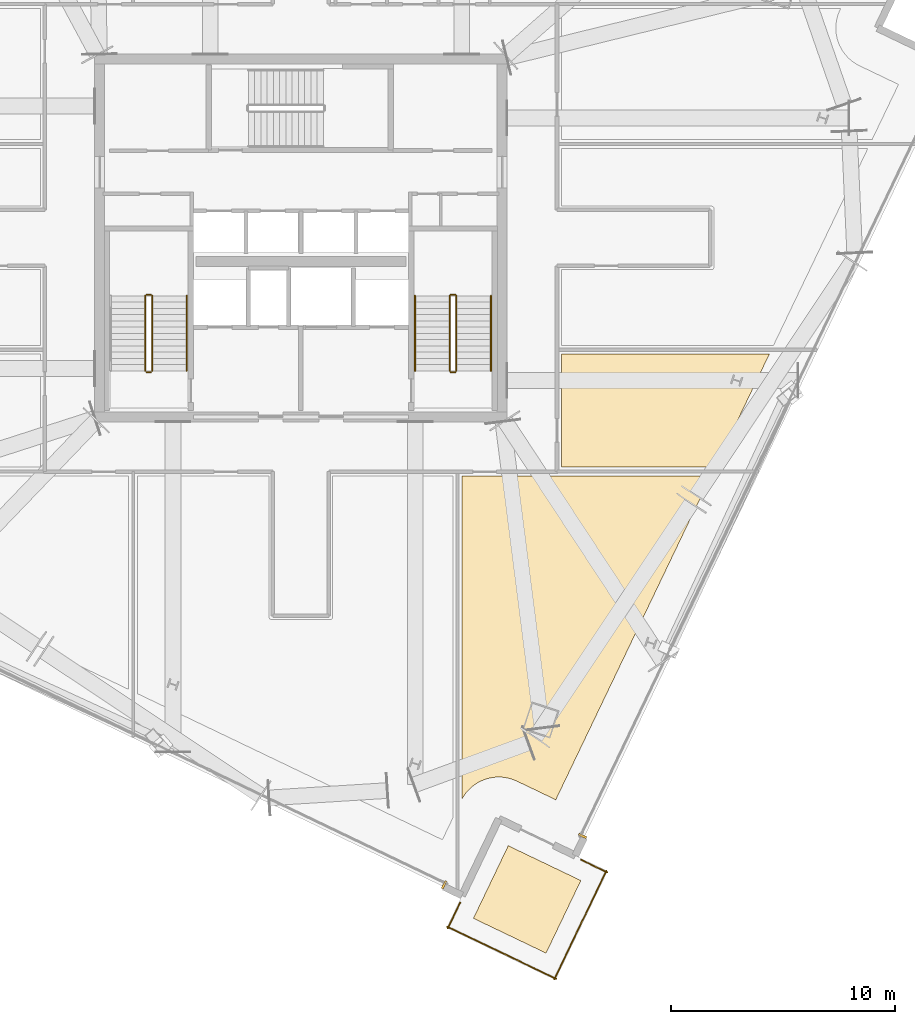
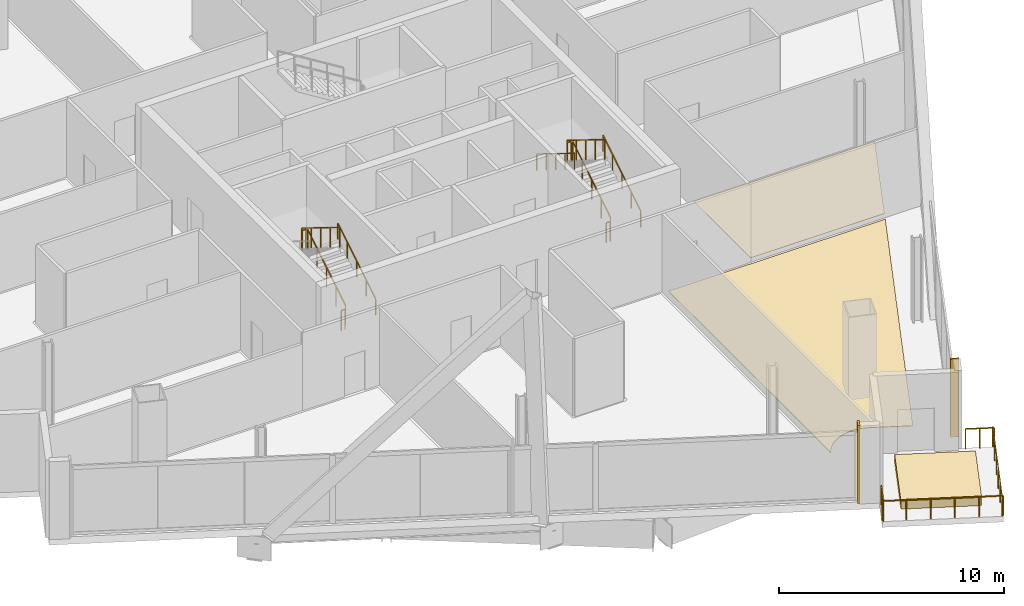
# One storey, part 21 of 24: 15 railings, 5 coverings.
"""IFC4 building model written with IfcOpenShell, lengths in metres."""

from ifc_helpers import new_model, si_unit, direction, frame, origin, origin_2d, place, context, subcontext, project, spatial, polyline, rectangle, outline, extrude, source, transform, mapped, material, layer, layer_set, type_object, element, save


model = new_model("IFC4")

# Units and contexts
model_context = context("Model", 3, precision=1e-05, world=origin(), true_north=direction((0.0, 1.0)))
body_context = subcontext(model_context, "Body", "Model", "MODEL_VIEW")
ifc_project = project(units=[si_unit("LENGTHUNIT", "METRE"), si_unit("AREAUNIT", "SQUARE_METRE"), si_unit("VOLUMEUNIT", "CUBIC_METRE"), si_unit("PLANEANGLEUNIT", "RADIAN"), si_unit("MASSUNIT", "GRAM", prefix="KILO")], contexts=[model_context])

# Site, building, storey
site_placement = place(None, origin())
site = spatial("IfcSite", under=ifc_project, at=site_placement, CompositionType="ELEMENT")
building_placement = place(site_placement, origin())
building = spatial("IfcBuilding", under=site, at=building_placement, Name="Haldenkirk Collegiate Tower", CompositionType="ELEMENT")
storey_placement = place(building_placement, frame((0.0, 0.0, 244.199951171875)))
storey = spatial("IfcBuildingStorey", under=building, at=storey_placement, Name="L61", CompositionType="ELEMENT", Elevation=244.199951171875)

# Coverings
ifc_material_1 = material(Name="Engineered collegiate oak acoustic flooring", Category="wood")
ifc_layer_1 = layer(ifc_material_1, 0.02197265625)
ifc_layer_set_1 = layer_set([ifc_layer_1], Name="Engineered collegiate oak acoustic flooring")
covering_type_1 = type_object("IfcCoveringType", Name="COV-FLOOR-TIMBER", PredefinedType="FLOORING", material=ifc_layer_set_1)
covering_1_placement = place(storey_placement, origin())
element("IfcCovering", 1, at=covering_1_placement, inside=storey, type_object=covering_type_1, Name="L61 academic room finish 03", PredefinedType="FLOORING", context=body_context, shape_type="SweptSolid", body=[
    extrude(outline(polyline([(43.199951171875, 0.910400390625), (43.199951171875, 15.35009765625), (54.327392578125, 15.35009765625), (47.394775390625, 0.880615234375), (45.654296875, 1.71435546875), (45.64892578125, 1.716796875), (45.490478515625, 1.783203125), (45.4794921875, 1.787353515625), (45.3154296875, 1.838134765625), (45.303955078125, 1.841064453125), (45.1357421875, 1.87548828125), (45.1240234375, 1.877197265625), (44.953125, 1.894775390625), (44.94140625, 1.8955078125), (44.769775390625, 1.896240234375), (44.758056640625, 1.895751953125), (44.5869140625, 1.8798828125), (44.575439453125, 1.878173828125), (44.40673828125, 1.845458984375), (44.395263671875, 1.8427734375), (44.230712890625, 1.793701171875), (44.2197265625, 1.789794921875), (44.060791015625, 1.724853515625), (44.0498046875, 1.7197265625), (43.898193359375, 1.6396484375), (43.887939453125, 1.633544921875), (43.74462890625, 1.538818359375), (43.735107421875, 1.531982421875), (43.601806640625, 1.423583984375), (43.59326171875, 1.415771484375), (43.47119140625, 1.294921875), (43.463134765625, 1.286376953125), (43.353515625, 1.154052734375), (43.346435546875, 1.144775390625), (43.25048828125, 1.00244140625), (43.244384765625, 0.9921875), (43.199951171875, 0.910400390625)])), origin(), (0.0, 0.0, 1.0), 0.02197265625),
])
covering_2_placement = place(storey_placement, origin())
element("IfcCovering", 2, at=covering_2_placement, inside=storey, type_object=covering_type_1, Name="L61 academic room finish 09", PredefinedType="FLOORING", context=body_context, shape_type="SweptSolid", body=[
    extrude(outline(polyline([(54.51904296875, 15.75), (47.64990234375, 15.75), (47.64990234375, 20.800048828125), (56.938720703125, 20.800048828125), (54.51904296875, 15.75)])), origin(), (0.0, 0.0, 1.0), 0.02197265625),
])
ifc_material_2 = material(Name="Precast concrete f'c 40 MPa", Category="concrete")
ifc_layer_2 = layer(ifc_material_2, 0.449951171875)
ifc_layer_set_2 = layer_set([ifc_layer_2], Name="Precast concrete f'c 40 MPa")
covering_type_2 = type_object("IfcCoveringType", Name="COV-PLANTER-450", PredefinedType="USERDEFINED", material=ifc_layer_set_2)
covering_3_placement = place(storey_placement, origin())
element("IfcCovering", 3, at=covering_3_placement, inside=storey, type_object=covering_type_2, Name="L61 planted garden planter bed", ObjectType="PLANTER", PredefinedType="USERDEFINED", context=body_context, shape_type="SweptSolid", body=[
    extrude(outline(polyline([(46.960205078125, -5.974609375), (43.71337890625, -4.419189453125), (45.26904296875, -1.172607421875), (48.515625, -2.72802734375), (46.960205078125, -5.974609375)])), origin(), (0.0, 0.0, 1.0), 0.449951171875),
])

# Railings
ifc_material_3 = material(Name="Painted architectural tubular steel", Category="steel")
railing_type_1 = type_object("IfcRailingType", Name="RLG-STAIR-GUARD-1100", PredefinedType="BALUSTRADE", material=ifc_material_3)
railing_1_placement = place(storey_placement, frame((29.35009765625, 20.050048828125, 0.173095703125)))
element("IfcRailing", 4, at=railing_1_placement, inside=storey, type_object=railing_type_1, Name="L61 ST-1 stair guard 1", PredefinedType="BALUSTRADE", context=body_context, shape_type="SweptSolid", body=[
    extrude(rectangle(XDim=0.048095703125, YDim=0.048095703125, at=origin_2d()), frame((0.0, 0.0, 1.076171875), z_axis=(0.0, 0.850606129759, 0.525803396734), x_axis=(-1.0, 0.0, 0.0)), (0.0, 0.0, 1.0), 3.949951171875),
    extrude(rectangle(XDim=0.0419921875, YDim=0.0419921875, at=origin_2d()), origin(), (0.0, 0.0, 1.0), 1.052001953125),
    extrude(rectangle(XDim=0.0419921875, YDim=0.0419921875, at=origin_2d()), frame((0.0, 0.83984375, 0.519287109375)), (0.0, 0.0, 1.0), 1.052001953125),
    extrude(rectangle(XDim=0.0419921875, YDim=0.0419921875, at=origin_2d()), frame((0.0, 1.679931640625, 1.03857421875)), (0.0, 0.0, 1.0), 1.052001953125),
    extrude(rectangle(XDim=0.0419921875, YDim=0.0419921875, at=origin_2d()), frame((0.0, 2.52001953125, 1.5576171875)), (0.0, 0.0, 1.0), 1.052001953125),
    extrude(rectangle(XDim=0.0419921875, YDim=0.0419921875, at=origin_2d()), frame((0.0, 3.35986328125, 2.076904296875)), (0.0, 0.0, 1.0), 1.052001953125),
])
railing_2_placement = place(storey_placement, frame((29.300048828125, 23.4599609375, 2.25)))
element("IfcRailing", 5, at=railing_2_placement, inside=storey, type_object=railing_type_1, Name="L61 ST-1 stair guard 2", PredefinedType="BALUSTRADE", context=body_context, shape_type="SweptSolid", body=[
    extrude(rectangle(XDim=0.048095703125, YDim=0.048095703125, at=origin_2d()), frame((0.0, 0.0, 1.076171875), z_axis=(-1.0, 0.0, 0.0), x_axis=(0.0, -1.0, 0.0)), (0.0, 0.0, 1.0), 0.199951171875),
    extrude(rectangle(XDim=0.0419921875, YDim=0.0419921875, at=origin_2d()), origin(), (0.0, 0.0, 1.0), 1.052001953125),
    extrude(rectangle(XDim=0.0419921875, YDim=0.0419921875, at=origin_2d()), frame((-0.199951171875, 0.0, 0.0)), (0.0, 0.0, 1.0), 1.052001953125),
])
railing_3_placement = place(storey_placement, frame((29.050048828125, 23.409912109375, 2.423095703125)))
element("IfcRailing", 6, at=railing_3_placement, inside=storey, type_object=railing_type_1, Name="L61 ST-1 stair guard 3", PredefinedType="BALUSTRADE", context=body_context, shape_type="SweptSolid", body=[
    extrude(rectangle(XDim=0.048095703125, YDim=0.048095703125, at=origin_2d()), frame((0.0, 0.0, 1.076171875), z_axis=(0.0, -0.850606129759, 0.525803396734), x_axis=(1.0, 0.0, 0.0)), (0.0, 0.0, 1.0), 3.949951171875),
    extrude(rectangle(XDim=0.0419921875, YDim=0.0419921875, at=origin_2d()), origin(), (0.0, 0.0, 1.0), 1.052001953125),
    extrude(rectangle(XDim=0.0419921875, YDim=0.0419921875, at=origin_2d()), frame((0.0, -0.83984375, 0.519287109375)), (0.0, 0.0, 1.0), 1.052001953125),
    extrude(rectangle(XDim=0.0419921875, YDim=0.0419921875, at=origin_2d()), frame((0.0, -1.679931640625, 1.03857421875)), (0.0, 0.0, 1.0), 1.052001953125),
    extrude(rectangle(XDim=0.0419921875, YDim=0.0419921875, at=origin_2d()), frame((0.0, -2.52001953125, 1.5576171875)), (0.0, 0.0, 1.0), 1.052001953125),
    extrude(rectangle(XDim=0.0419921875, YDim=0.0419921875, at=origin_2d()), frame((0.0, -3.35986328125, 2.076904296875)), (0.0, 0.0, 1.0), 1.052001953125),
])
railing_4_placement = place(storey_placement, frame((29.300048828125, 20.0, 0.0)))
element("IfcRailing", 7, at=railing_4_placement, inside=storey, type_object=railing_type_1, Name="L61 ST-1 stair guard 4", PredefinedType="BALUSTRADE", context=body_context, shape_type="SweptSolid", body=[
    extrude(rectangle(XDim=0.048095703125, YDim=0.048095703125, at=origin_2d()), frame((0.0, 0.0, 1.076171875), z_axis=(-1.0, 0.0, 0.0), x_axis=(0.0, -1.0, 0.0)), (0.0, 0.0, 1.0), 0.199951171875),
    extrude(rectangle(XDim=0.0419921875, YDim=0.0419921875, at=origin_2d()), origin(), (0.0, 0.0, 1.0), 1.052001953125),
    extrude(rectangle(XDim=0.0419921875, YDim=0.0419921875, at=origin_2d()), frame((-0.199951171875, 0.0, 0.0)), (0.0, 0.0, 1.0), 1.052001953125),
])
railing_5_placement = place(storey_placement, frame((42.949951171875, 20.050048828125, 0.173095703125)))
element("IfcRailing", 8, at=railing_5_placement, inside=storey, type_object=railing_type_1, Name="L61 ST-2 stair guard 1", PredefinedType="BALUSTRADE", context=body_context, shape_type="SweptSolid", body=[
    extrude(rectangle(XDim=0.048095703125, YDim=0.048095703125, at=origin_2d()), frame((0.0, 0.0, 1.076171875), z_axis=(0.0, 0.850606129759, 0.525803396734), x_axis=(-1.0, 0.0, 0.0)), (0.0, 0.0, 1.0), 3.949951171875),
    extrude(rectangle(XDim=0.0419921875, YDim=0.0419921875, at=origin_2d()), origin(), (0.0, 0.0, 1.0), 1.052001953125),
    extrude(rectangle(XDim=0.0419921875, YDim=0.0419921875, at=origin_2d()), frame((0.0, 0.83984375, 0.519287109375)), (0.0, 0.0, 1.0), 1.052001953125),
    extrude(rectangle(XDim=0.0419921875, YDim=0.0419921875, at=origin_2d()), frame((0.0, 1.679931640625, 1.03857421875)), (0.0, 0.0, 1.0), 1.052001953125),
    extrude(rectangle(XDim=0.0419921875, YDim=0.0419921875, at=origin_2d()), frame((0.0, 2.52001953125, 1.5576171875)), (0.0, 0.0, 1.0), 1.052001953125),
    extrude(rectangle(XDim=0.0419921875, YDim=0.0419921875, at=origin_2d()), frame((0.0, 3.35986328125, 2.076904296875)), (0.0, 0.0, 1.0), 1.052001953125),
])
railing_6_placement = place(storey_placement, frame((42.89990234375, 23.4599609375, 2.25)))
element("IfcRailing", 9, at=railing_6_placement, inside=storey, type_object=railing_type_1, Name="L61 ST-2 stair guard 2", PredefinedType="BALUSTRADE", context=body_context, shape_type="SweptSolid", body=[
    extrude(rectangle(XDim=0.048095703125, YDim=0.048095703125, at=origin_2d()), frame((0.0, 0.0, 1.076171875), z_axis=(-1.0, 0.0, 0.0), x_axis=(0.0, -1.0, 0.0)), (0.0, 0.0, 1.0), 0.199951171875),
    extrude(rectangle(XDim=0.0419921875, YDim=0.0419921875, at=origin_2d()), origin(), (0.0, 0.0, 1.0), 1.052001953125),
    extrude(rectangle(XDim=0.0419921875, YDim=0.0419921875, at=origin_2d()), frame((-0.199951171875, 0.0, 0.0)), (0.0, 0.0, 1.0), 1.052001953125),
])
railing_7_placement = place(storey_placement, frame((42.64990234375, 23.409912109375, 2.423095703125)))
element("IfcRailing", 10, at=railing_7_placement, inside=storey, type_object=railing_type_1, Name="L61 ST-2 stair guard 3", PredefinedType="BALUSTRADE", context=body_context, shape_type="SweptSolid", body=[
    extrude(rectangle(XDim=0.048095703125, YDim=0.048095703125, at=origin_2d()), frame((0.0, 0.0, 1.076171875), z_axis=(0.0, -0.850606129759, 0.525803396734), x_axis=(1.0, 0.0, 0.0)), (0.0, 0.0, 1.0), 3.949951171875),
    extrude(rectangle(XDim=0.0419921875, YDim=0.0419921875, at=origin_2d()), origin(), (0.0, 0.0, 1.0), 1.052001953125),
    extrude(rectangle(XDim=0.0419921875, YDim=0.0419921875, at=origin_2d()), frame((0.0, -0.83984375, 0.519287109375)), (0.0, 0.0, 1.0), 1.052001953125),
    extrude(rectangle(XDim=0.0419921875, YDim=0.0419921875, at=origin_2d()), frame((0.0, -1.679931640625, 1.03857421875)), (0.0, 0.0, 1.0), 1.052001953125),
    extrude(rectangle(XDim=0.0419921875, YDim=0.0419921875, at=origin_2d()), frame((0.0, -2.52001953125, 1.5576171875)), (0.0, 0.0, 1.0), 1.052001953125),
    extrude(rectangle(XDim=0.0419921875, YDim=0.0419921875, at=origin_2d()), frame((0.0, -3.35986328125, 2.076904296875)), (0.0, 0.0, 1.0), 1.052001953125),
])
railing_8_placement = place(storey_placement, frame((42.89990234375, 20.0, 0.0)))
element("IfcRailing", 11, at=railing_8_placement, inside=storey, type_object=railing_type_1, Name="L61 ST-2 stair guard 4", PredefinedType="BALUSTRADE", context=body_context, shape_type="SweptSolid", body=[
    extrude(rectangle(XDim=0.048095703125, YDim=0.048095703125, at=origin_2d()), frame((0.0, 0.0, 1.076171875), z_axis=(-1.0, 0.0, 0.0), x_axis=(0.0, -1.0, 0.0)), (0.0, 0.0, 1.0), 0.199951171875),
    extrude(rectangle(XDim=0.0419921875, YDim=0.0419921875, at=origin_2d()), origin(), (0.0, 0.0, 1.0), 1.052001953125),
    extrude(rectangle(XDim=0.0419921875, YDim=0.0419921875, at=origin_2d()), frame((-0.199951171875, 0.0, 0.0)), (0.0, 0.0, 1.0), 1.052001953125),
])
railing_type_2 = type_object("IfcRailingType", Name="RLG-STAIR-HANDRAIL-900", PredefinedType="HANDRAIL", material=ifc_material_3)
for number, where, name in (
    (12, (30.89990234375, 20.050048828125, 0.173095703125), "L61 ST-1 stair handrail 1"),
    (13, (44.5, 20.050048828125, 0.173095703125), "L61 ST-2 stair handrail 1"),
):
    element("IfcRailing", number, at=place(storey_placement, frame(where)), inside=storey, type_object=railing_type_2, Name=name, PredefinedType="HANDRAIL", context=body_context, shape_type="SweptSolid", body=[
        extrude(rectangle(XDim=0.048095703125, YDim=0.048095703125, at=origin_2d()), frame((0.0, 0.0, 0.8759765625), z_axis=(0.0, 0.850606129759, 0.525803396734), x_axis=(-1.0, 0.0, 0.0)), (0.0, 0.0, 1.0), 3.949951171875),
        extrude(rectangle(XDim=0.0419921875, YDim=0.0419921875, at=origin_2d()), origin(), (0.0, 0.0, 1.0), 0.851806640625),
        extrude(rectangle(XDim=0.0419921875, YDim=0.0419921875, at=origin_2d()), frame((0.0, 0.83984375, 0.519287109375)), (0.0, 0.0, 1.0), 0.851806640625),
        extrude(rectangle(XDim=0.0419921875, YDim=0.0419921875, at=origin_2d()), frame((0.0, 1.679931640625, 1.03857421875)), (0.0, 0.0, 1.0), 0.851806640625),
        extrude(rectangle(XDim=0.0419921875, YDim=0.0419921875, at=origin_2d()), frame((0.0, 2.52001953125, 1.5576171875)), (0.0, 0.0, 1.0), 0.851806640625),
        extrude(rectangle(XDim=0.0419921875, YDim=0.0419921875, at=origin_2d()), frame((0.0, 3.35986328125, 2.076904296875)), (0.0, 0.0, 1.0), 0.851806640625),
    ])
railing_9_placement = place(storey_placement, frame((41.10009765625, 23.409912109375, 2.423095703125)))
element("IfcRailing", 14, at=railing_9_placement, inside=storey, type_object=railing_type_2, Name="L61 ST-2 stair handrail 2", PredefinedType="HANDRAIL", context=body_context, shape_type="SweptSolid", body=[
    extrude(rectangle(XDim=0.048095703125, YDim=0.048095703125, at=origin_2d()), frame((0.0, 0.0, 0.8759765625), z_axis=(0.0, -0.850606129759, 0.525803396734), x_axis=(1.0, 0.0, 0.0)), (0.0, 0.0, 1.0), 3.949951171875),
    extrude(rectangle(XDim=0.0419921875, YDim=0.0419921875, at=origin_2d()), origin(), (0.0, 0.0, 1.0), 0.851806640625),
    extrude(rectangle(XDim=0.0419921875, YDim=0.0419921875, at=origin_2d()), frame((0.0, -0.83984375, 0.519287109375)), (0.0, 0.0, 1.0), 0.851806640625),
    extrude(rectangle(XDim=0.0419921875, YDim=0.0419921875, at=origin_2d()), frame((0.0, -1.679931640625, 1.03857421875)), (0.0, 0.0, 1.0), 0.851806640625),
    extrude(rectangle(XDim=0.0419921875, YDim=0.0419921875, at=origin_2d()), frame((0.0, -2.52001953125, 1.5576171875)), (0.0, 0.0, 1.0), 0.851806640625),
    extrude(rectangle(XDim=0.0419921875, YDim=0.0419921875, at=origin_2d()), frame((0.0, -3.35986328125, 2.076904296875)), (0.0, 0.0, 1.0), 0.851806640625),
])
ifc_material_4 = material(Name="Anodised architectural bronze aluminium", Category="aluminium")
railing_type_3 = type_object("IfcRailingType", Name="RLG-TERR-BALUSTRADE-1100", PredefinedType="BALUSTRADE", material=ifc_material_4)
railing_10_placement = place(storey_placement, frame((47.328857421875, -7.149169921875, 0.0)))
element("IfcRailing", 15, at=railing_10_placement, inside=storey, type_object=railing_type_3, Name="L61 terrace guard balustrade 1-1", PredefinedType="BALUSTRADE", context=body_context, shape_type="SweptSolid", body=[
    extrude(rectangle(XDim=0.048095703125, YDim=0.048095703125, at=origin_2d()), frame((0.0, 0.0, 1.076171875), z_axis=(0.432085708987, 0.901832545481, 0.0), x_axis=(-0.901832545481, 0.432085708987, 0.0)), (0.0, 0.0, 1.0), 5.39990234375),
    extrude(rectangle(XDim=0.0419921875, YDim=0.0419921875, at=origin_2d()), origin(), (0.0, 0.0, 1.0), 1.052001953125),
    extrude(rectangle(XDim=0.0419921875, YDim=0.0419921875, at=origin_2d()), frame((0.466552734375, 0.973876953125, 0.0)), (0.0, 0.0, 1.0), 1.052001953125),
    extrude(rectangle(XDim=0.0419921875, YDim=0.0419921875, at=origin_2d()), frame((0.933349609375, 1.947998046875, 0.0)), (0.0, 0.0, 1.0), 1.052001953125),
    extrude(rectangle(XDim=0.0419921875, YDim=0.0419921875, at=origin_2d()), frame((1.39990234375, 2.921875, 0.0)), (0.0, 0.0, 1.0), 1.052001953125),
    extrude(rectangle(XDim=0.0419921875, YDim=0.0419921875, at=origin_2d()), frame((1.86669921875, 3.89599609375, 0.0)), (0.0, 0.0, 1.0), 1.052001953125),
    extrude(rectangle(XDim=0.0419921875, YDim=0.0419921875, at=origin_2d()), frame((2.333251953125, 4.869873046875, 0.0)), (0.0, 0.0, 1.0), 1.052001953125),
])
railing_11_placement = place(storey_placement, frame((49.690185546875, -2.359375, 0.0)))
element("IfcRailing", 16, at=railing_11_placement, inside=storey, type_object=railing_type_3, Name="L61 terrace guard balustrade 2-1", PredefinedType="BALUSTRADE", context=body_context, shape_type="SweptSolid", body=[
    extrude(rectangle(XDim=0.048095703125, YDim=0.048095703125, at=origin_2d()), frame((0.0, 0.0, 1.076171875), z_axis=(-0.901853191822, 0.432042614103, 0.0), x_axis=(-0.432042614103, -0.901853191822, 0.0)), (0.0, 0.0, 1.0), 1.280029296875),
    extrude(rectangle(XDim=0.0419921875, YDim=0.0419921875, at=origin_2d()), origin(), (0.0, 0.0, 1.0), 1.052001953125),
    extrude(rectangle(XDim=0.0419921875, YDim=0.0419921875, at=origin_2d()), frame((-0.5771484375, 0.2763671875, 0.0)), (0.0, 0.0, 1.0), 1.052001953125),
    extrude(rectangle(XDim=0.0419921875, YDim=0.0419921875, at=origin_2d()), frame((-1.154296875, 0.552978515625, 0.0)), (0.0, 0.0, 1.0), 1.052001953125),
])
railing_12_placement = place(storey_placement, frame((43.1201171875, -3.71337890625, 0.0)))
element("IfcRailing", 17, at=railing_12_placement, inside=storey, type_object=railing_type_3, Name="L61 terrace guard balustrade 3-1", PredefinedType="BALUSTRADE", context=body_context, shape_type="SweptSolid", body=[
    extrude(rectangle(XDim=0.048095703125, YDim=0.048095703125, at=origin_2d()), frame((0.0, 0.0, 1.076171875), z_axis=(-0.431968302834, -0.901888787682, 0.0), x_axis=(0.901888787682, -0.431968302834, 0.0)), (0.0, 0.0, 1.0), 1.280029296875),
    extrude(rectangle(XDim=0.0419921875, YDim=0.0419921875, at=origin_2d()), origin(), (0.0, 0.0, 1.0), 1.052001953125),
    extrude(rectangle(XDim=0.0419921875, YDim=0.0419921875, at=origin_2d()), frame((-0.2763671875, -0.5771484375, 0.0)), (0.0, 0.0, 1.0), 1.052001953125),
    extrude(rectangle(XDim=0.0419921875, YDim=0.0419921875, at=origin_2d()), frame((-0.552978515625, -1.154541015625, 0.0)), (0.0, 0.0, 1.0), 1.052001953125),
])
railing_13_placement = place(storey_placement, frame((42.538818359375, -4.787841796875, 0.0)))
element("IfcRailing", 18, at=railing_13_placement, inside=storey, type_object=railing_type_3, Name="L61 terrace guard balustrade 4-1", PredefinedType="BALUSTRADE", context=body_context, shape_type="SweptSolid", body=[
    extrude(rectangle(XDim=0.048095703125, YDim=0.048095703125, at=origin_2d()), frame((0.0, 0.0, 1.076171875), z_axis=(0.901832545481, -0.432085708987, 0.0), x_axis=(0.432085708987, 0.901832545481, 0.0)), (0.0, 0.0, 1.0), 5.39990234375),
    extrude(rectangle(XDim=0.0419921875, YDim=0.0419921875, at=origin_2d()), origin(), (0.0, 0.0, 1.0), 1.052001953125),
    extrude(rectangle(XDim=0.0419921875, YDim=0.0419921875, at=origin_2d()), frame((0.973876953125, -0.466552734375, 0.0)), (0.0, 0.0, 1.0), 1.052001953125),
    extrude(rectangle(XDim=0.0419921875, YDim=0.0419921875, at=origin_2d()), frame((1.947998046875, -0.933349609375, 0.0)), (0.0, 0.0, 1.0), 1.052001953125),
    extrude(rectangle(XDim=0.0419921875, YDim=0.0419921875, at=origin_2d()), frame((2.921875, -1.39990234375, 0.0)), (0.0, 0.0, 1.0), 1.052001953125),
    extrude(rectangle(XDim=0.0419921875, YDim=0.0419921875, at=origin_2d()), frame((3.89599609375, -1.86669921875, 0.0)), (0.0, 0.0, 1.0), 1.052001953125),
    extrude(rectangle(XDim=0.0419921875, YDim=0.0419921875, at=origin_2d()), frame((4.869873046875, -2.333251953125, 0.0)), (0.0, 0.0, 1.0), 1.052001953125),
])

# Coverings
ifc_layer_3 = layer(ifc_material_4, 0.06005859375)
ifc_layer_set_3 = layer_set([ifc_layer_3], Name="Anodised architectural bronze aluminium")
covering_type_3 = type_object("IfcCoveringType", Name="COV-CLAD-BRONZE-60", PredefinedType="CLADDING", material=ifc_layer_set_3)
shared_shape = source(origin(), body_context, "Body", "SweptSolid", [
    extrude(rectangle(XDim=0.10009765625, YDim=0.3798828125, at=origin_2d()), origin(), (0.0, 0.0, 1.0), 4.22998046875),
])
for number, where, z_axis, x_axis, name in (
    (19, (48.593994140625, -0.736328125, 0.0), (0.0, 0.0, 1.0), (-0.432085748802, -0.901832526405, 0.0), "L61 recessed curtain-wall bronze jamb closure SJR"),
    (20, (42.404541015625, -2.916015625, 0.0), (0.0, 0.0, 1.0), (-0.901832526405, 0.432085748802, 0.0), "L61 recessed curtain-wall bronze jamb closure WJL"),
):
    element("IfcCovering", number, at=place(storey_placement, frame(where, z_axis=z_axis, x_axis=x_axis)), inside=storey, type_object=covering_type_3, Name=name, PredefinedType="CLADDING", context=body_context, shape_type="MappedRepresentation", body=[
        mapped(shared_shape, transform((0.0, 0.0, 0.0), x_axis=(1.0, 0.0, 0.0), y_axis=(0.0, 1.0, 0.0), z_axis=(0.0, 0.0, 1.0), scale=1.0)),
    ])

save(model, "model.ifc")
